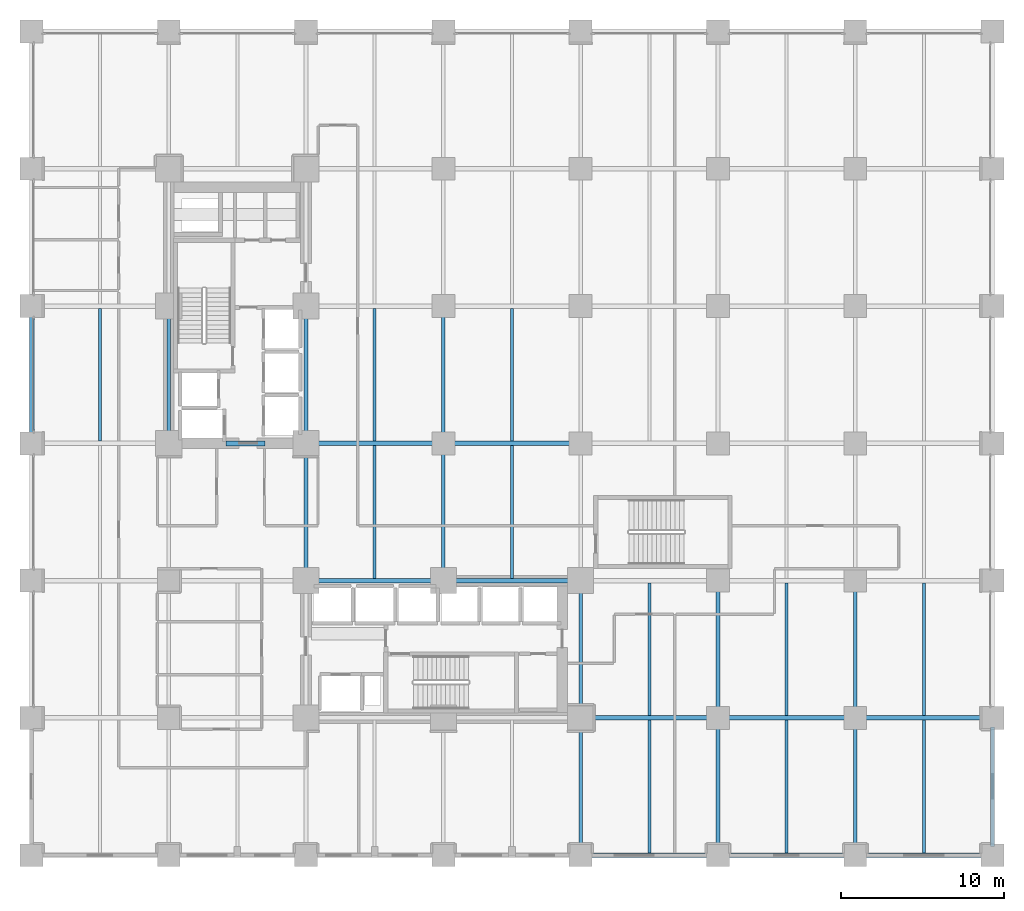
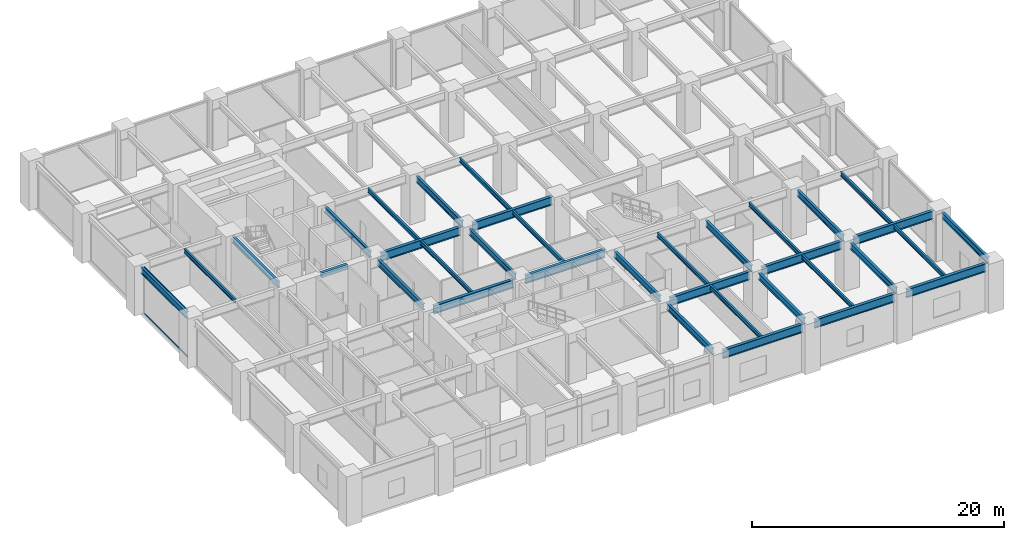
# One storey, part 5 of 23: 35 beams, 2 members, 1 element without a shape of its own.
"""IFC4 building model written with IfcOpenShell, lengths in metres."""

from ifc_helpers import new_model, si_unit, direction, frame, origin, origin_2d, place, context, subcontext, project, spatial, rectangle, hollow_rectangle, i_section, extrude, material, layer, layer_set, material_profile, profile_set, type_object, element, aggregate, save


model = new_model("IFC4")

# Units and contexts
model_context = context("Model", 3, precision=1e-05, world=origin(), true_north=direction((0.0, 1.0)))
body_context = subcontext(model_context, "Body", "Model", "MODEL_VIEW")
ifc_project = project(units=[si_unit("LENGTHUNIT", "METRE"), si_unit("AREAUNIT", "SQUARE_METRE"), si_unit("VOLUMEUNIT", "CUBIC_METRE"), si_unit("PLANEANGLEUNIT", "RADIAN"), si_unit("MASSUNIT", "GRAM", prefix="KILO")], contexts=[model_context])

# Site, building, storey
site_placement = place(None, origin())
site = spatial("IfcSite", under=ifc_project, at=site_placement, CompositionType="ELEMENT")
building_placement = place(site_placement, origin())
building = spatial("IfcBuilding", under=site, at=building_placement, Name="Nerrivon Quay Data Exchange", CompositionType="ELEMENT")
storey_placement = place(building_placement, frame((0.0, 0.0, 5.39990234375)))
storey = spatial("IfcBuildingStorey", under=building, at=storey_placement, Name="L01", CompositionType="ELEMENT", Elevation=5.39990234375)

# Beams
ifc_material_1 = material(Name="Steel Grade 350", Category="steel")
ifc_material_profile_1 = material_profile(ifc_material_1, i_section(OverallWidth=0.22900390625, OverallDepth=0.612060546875, WebThickness=0.011962890625, FlangeThickness=0.01953125, FilletRadius=0.013916015625, at=origin_2d()), Name="610UB125")
ifc_profile_set_1 = profile_set([ifc_material_profile_1], Name="Steel Grade 350")
beam_type_1 = type_object("IfcBeamType", Name="BM-G1-610UB125", PredefinedType="BEAM", material=ifc_profile_set_1)
for number, where, z_axis, x_axis, name in (
    (1, (0.0, 25.739990234375, 4.218994140625), (0.0, 1.0, 0.0), (-1.0, 0.0, 0.0), "L01 NS Girder X=0.0 (25.2..33.6)"),
    (2, (8.39990234375, 25.739990234375, 4.218994140625), (0.0, 1.0, 0.0), (-1.0, 0.0, 0.0), "L01 NS Girder X=8.4 (25.2..33.6)"),
):
    element("IfcBeam", number, at=place(storey_placement, frame(where, z_axis=z_axis, x_axis=x_axis)), inside=storey, type_object=beam_type_1, Name=name, PredefinedType="BEAM", context=body_context, shape_type="SweptSolid", body=[
        extrude(i_section(OverallWidth=0.22900390625, OverallDepth=0.612060546875, WebThickness=0.011962890625, FlangeThickness=0.01953125, FilletRadius=0.013916015625, at=origin_2d()), origin(), (0.0, 0.0, 1.0), 7.320068359375),
    ])
beam_1_placement = place(storey_placement, frame((16.800048828125, 17.340087890625, 4.218994140625), z_axis=(0.0, 1.0, 0.0), x_axis=(-1.0, 0.0, 0.0)))
element("IfcBeam", 3, at=beam_1_placement, inside=storey, type_object=beam_type_1, Name="L01 NS Girder X=16.8 (16.8..25.2)", PredefinedType="BEAM", context=body_context, shape_type="SweptSolid", body=[
    extrude(i_section(OverallWidth=0.22900390625, OverallDepth=0.612060546875, WebThickness=0.011962890625, FlangeThickness=0.01953125, FilletRadius=0.013916015625, at=origin_2d()), origin(), (0.0, 0.0, 1.0), 7.31982421875),
])
beam_2_placement = place(storey_placement, frame((16.800048828125, 25.739990234375, 4.218994140625), z_axis=(0.0, 1.0, 0.0), x_axis=(-1.0, 0.0, 0.0)))
element("IfcBeam", 4, at=beam_2_placement, inside=storey, type_object=beam_type_1, Name="L01 NS Girder X=16.8 (25.2..33.6)", PredefinedType="BEAM", context=body_context, shape_type="SweptSolid", body=[
    extrude(i_section(OverallWidth=0.22900390625, OverallDepth=0.612060546875, WebThickness=0.011962890625, FlangeThickness=0.01953125, FilletRadius=0.013916015625, at=origin_2d()), origin(), (0.0, 0.0, 1.0), 7.320068359375),
])
beam_3_placement = place(storey_placement, frame((25.199951171875, 17.340087890625, 4.218994140625), z_axis=(0.0, 1.0, 0.0), x_axis=(-1.0, 0.0, 0.0)))
element("IfcBeam", 5, at=beam_3_placement, inside=storey, type_object=beam_type_1, Name="L01 NS Girder X=25.2 (16.8..25.2)", PredefinedType="BEAM", context=body_context, shape_type="SweptSolid", body=[
    extrude(i_section(OverallWidth=0.22900390625, OverallDepth=0.612060546875, WebThickness=0.011962890625, FlangeThickness=0.01953125, FilletRadius=0.013916015625, at=origin_2d()), origin(), (0.0, 0.0, 1.0), 7.31982421875),
])
for number, where, z_axis, x_axis, name in (
    (6, (25.199951171875, 25.739990234375, 4.218994140625), (0.0, 1.0, 0.0), (-1.0, 0.0, 0.0), "L01 NS Girder X=25.2 (25.2..33.6)"),
    (7, (33.60009765625, 0.5400390625, 4.218994140625), (0.0, 1.0, 0.0), (-1.0, 0.0, 0.0), "L01 NS Girder X=33.6 (0.0..8.4)"),
    (8, (33.60009765625, 8.93994140625, 4.218994140625), (0.0, 1.0, 0.0), (-1.0, 0.0, 0.0), "L01 NS Girder X=33.6 (8.4..16.8)"),
    (9, (42.0, 0.5400390625, 4.218994140625), (0.0, 1.0, 0.0), (-1.0, 0.0, 0.0), "L01 NS Girder X=42.0 (0.0..8.4)"),
    (10, (42.0, 8.93994140625, 4.218994140625), (0.0, 1.0, 0.0), (-1.0, 0.0, 0.0), "L01 NS Girder X=42.0 (8.4..16.8)"),
    (11, (50.39990234375, 0.5400390625, 4.218994140625), (0.0, 1.0, 0.0), (-1.0, 0.0, 0.0), "L01 NS Girder X=50.4 (0.0..8.4)"),
    (12, (50.39990234375, 8.93994140625, 4.218994140625), (0.0, 1.0, 0.0), (-1.0, 0.0, 0.0), "L01 NS Girder X=50.4 (8.4..16.8)"),
    (13, (58.800048828125, 0.5400390625, 4.218994140625), (0.0, 1.0, 0.0), (-1.0, 0.0, 0.0), "L01 NS Girder X=58.8 (0.0..8.4)"),
):
    element("IfcBeam", number, at=place(storey_placement, frame(where, z_axis=z_axis, x_axis=x_axis)), inside=storey, type_object=beam_type_1, Name=name, PredefinedType="BEAM", context=body_context, shape_type="SweptSolid", body=[
        extrude(i_section(OverallWidth=0.22900390625, OverallDepth=0.612060546875, WebThickness=0.011962890625, FlangeThickness=0.01953125, FilletRadius=0.013916015625, at=origin_2d()), origin(), (0.0, 0.0, 1.0), 7.320068359375),
    ])
ifc_material_profile_2 = material_profile(ifc_material_1, i_section(OverallWidth=0.27490234375, OverallDepth=0.800048828125, WebThickness=0.010009765625, FlangeThickness=0.02001953125, at=origin_2d()), Name="800WB146")
ifc_profile_set_2 = profile_set([ifc_material_profile_2], Name="Steel Grade 350")
beam_type_2 = type_object("IfcBeamType", Name="BM-G8-800WB146", PredefinedType="BEAM", material=ifc_profile_set_2)
for number, where, z_axis, x_axis, name in (
    (14, (34.139892578125, 0.0, 4.125), (1.0, 0.0, 0.0), (0.0, 1.0, 0.0), "L01 EW Girder Y=0.0 (33.6..42.0)"),
    (15, (42.5400390625, 0.0, 4.125), (1.0, 0.0, 0.0), (0.0, 1.0, 0.0), "L01 EW Girder Y=0.0 (42.0..50.4)"),
    (16, (50.93994140625, 0.0, 4.125), (1.0, 0.0, 0.0), (0.0, 1.0, 0.0), "L01 EW Girder Y=0.0 (50.4..58.8)"),
    (17, (34.139892578125, 8.39990234375, 4.125), (1.0, 0.0, 0.0), (0.0, 1.0, 0.0), "L01 EW Girder Y=8.4 (33.6..42.0)"),
    (18, (42.5400390625, 8.39990234375, 4.125), (1.0, 0.0, 0.0), (0.0, 1.0, 0.0), "L01 EW Girder Y=8.4 (42.0..50.4)"),
    (19, (50.93994140625, 8.39990234375, 4.125), (1.0, 0.0, 0.0), (0.0, 1.0, 0.0), "L01 EW Girder Y=8.4 (50.4..58.8)"),
):
    element("IfcBeam", number, at=place(storey_placement, frame(where, z_axis=z_axis, x_axis=x_axis)), inside=storey, type_object=beam_type_2, Name=name, PredefinedType="BEAM", context=body_context, shape_type="SweptSolid", body=[
        extrude(i_section(OverallWidth=0.27490234375, OverallDepth=0.800048828125, WebThickness=0.010009765625, FlangeThickness=0.02001953125, at=origin_2d()), origin(), (0.0, 0.0, 1.0), 7.320068359375),
    ])
beam_4_placement = place(storey_placement, frame((17.340087890625, 16.800048828125, 4.125), z_axis=(1.0, 0.0, 0.0), x_axis=(0.0, 1.0, 0.0)))
element("IfcBeam", 20, at=beam_4_placement, inside=storey, type_object=beam_type_2, Name="L01 EW Girder Y=16.8 (16.8..25.2)", PredefinedType="BEAM", context=body_context, shape_type="SweptSolid", body=[
    extrude(i_section(OverallWidth=0.27490234375, OverallDepth=0.800048828125, WebThickness=0.010009765625, FlangeThickness=0.02001953125, at=origin_2d()), origin(), (0.0, 0.0, 1.0), 7.31982421875),
])
beam_5_placement = place(storey_placement, frame((25.739990234375, 16.800048828125, 4.125), z_axis=(1.0, 0.0, 0.0), x_axis=(0.0, 1.0, 0.0)))
element("IfcBeam", 21, at=beam_5_placement, inside=storey, type_object=beam_type_2, Name="L01 EW Girder Y=16.8 (25.2..33.6)", PredefinedType="BEAM", context=body_context, shape_type="SweptSolid", body=[
    extrude(i_section(OverallWidth=0.27490234375, OverallDepth=0.800048828125, WebThickness=0.010009765625, FlangeThickness=0.02001953125, at=origin_2d()), origin(), (0.0, 0.0, 1.0), 7.320068359375),
])
beam_6_placement = place(storey_placement, frame((17.340087890625, 25.199951171875, 4.125), z_axis=(1.0, 0.0, 0.0), x_axis=(0.0, 1.0, 0.0)))
element("IfcBeam", 22, at=beam_6_placement, inside=storey, type_object=beam_type_2, Name="L01 EW Girder Y=25.2 (16.8..25.2)", PredefinedType="BEAM", context=body_context, shape_type="SweptSolid", body=[
    extrude(i_section(OverallWidth=0.27490234375, OverallDepth=0.800048828125, WebThickness=0.010009765625, FlangeThickness=0.02001953125, at=origin_2d()), origin(), (0.0, 0.0, 1.0), 7.31982421875),
])
beam_7_placement = place(storey_placement, frame((25.739990234375, 25.199951171875, 4.125), z_axis=(1.0, 0.0, 0.0), x_axis=(0.0, 1.0, 0.0)))
element("IfcBeam", 23, at=beam_7_placement, inside=storey, type_object=beam_type_2, Name="L01 EW Girder Y=25.2 (25.2..33.6)", PredefinedType="BEAM", context=body_context, shape_type="SweptSolid", body=[
    extrude(i_section(OverallWidth=0.27490234375, OverallDepth=0.800048828125, WebThickness=0.010009765625, FlangeThickness=0.02001953125, at=origin_2d()), origin(), (0.0, 0.0, 1.0), 7.320068359375),
])
ifc_material_profile_3 = material_profile(ifc_material_1, i_section(OverallWidth=0.177978515625, OverallDepth=0.403076171875, WebThickness=0.007568359375, FlangeThickness=0.010986328125, FilletRadius=0.011474609375, at=origin_2d()), Name="410UB53.7")
ifc_profile_set_3 = profile_set([ifc_material_profile_3], Name="Steel Grade 350")
beam_type_3 = type_object("IfcBeamType", Name="BM-J2-410UB54", PredefinedType="JOIST", material=ifc_profile_set_3)
for number, where, z_axis, x_axis, name in (
    (24, (4.199951171875, 25.33740234375, 4.323486328125), (0.0, 1.0, 0.0), (-1.0, 0.0, 0.0), "L01 Secondary Joist X=4.2 (25.2..33.6)"),
    (25, (21.0, 16.9375, 4.323486328125), (0.0, 1.0, 0.0), (-1.0, 0.0, 0.0), "L01 Secondary Joist X=21.0 (16.8..25.2)"),
    (26, (21.0, 25.33740234375, 4.323486328125), (0.0, 1.0, 0.0), (-1.0, 0.0, 0.0), "L01 Secondary Joist X=21.0 (25.2..33.6)"),
    (27, (29.39990234375, 16.9375, 4.323486328125), (0.0, 1.0, 0.0), (-1.0, 0.0, 0.0), "L01 Secondary Joist X=29.4 (16.8..25.2)"),
    (28, (29.39990234375, 25.33740234375, 4.323486328125), (0.0, 1.0, 0.0), (-1.0, 0.0, 0.0), "L01 Secondary Joist X=29.4 (25.2..33.6)"),
    (29, (37.800048828125, 0.137451171875, 4.323486328125), (0.0, 1.0, 0.0), (-1.0, 0.0, 0.0), "L01 Secondary Joist X=37.8 (0.0..8.4)"),
    (30, (37.800048828125, 8.53759765625, 4.323486328125), (0.0, 1.0, 0.0), (-1.0, 0.0, 0.0), "L01 Secondary Joist X=37.8 (8.4..16.8)"),
    (31, (46.199951171875, 0.137451171875, 4.323486328125), (0.0, 1.0, 0.0), (-1.0, 0.0, 0.0), "L01 Secondary Joist X=46.2 (0.0..8.4)"),
    (32, (46.199951171875, 8.53759765625, 4.323486328125), (0.0, 1.0, 0.0), (-1.0, 0.0, 0.0), "L01 Secondary Joist X=46.2 (8.4..16.8)"),
    (33, (54.60009765625, 0.137451171875, 4.323486328125), (0.0, 1.0, 0.0), (-1.0, 0.0, 0.0), "L01 Secondary Joist X=54.6 (0.0..8.4)"),
    (34, (54.60009765625, 8.53759765625, 4.323486328125), (0.0, 1.0, 0.0), (-1.0, 0.0, 0.0), "L01 Secondary Joist X=54.6 (8.4..16.8)"),
):
    element("IfcBeam", number, at=place(storey_placement, frame(where, z_axis=z_axis, x_axis=x_axis)), inside=storey, type_object=beam_type_3, Name=name, PredefinedType="JOIST", context=body_context, shape_type="SweptSolid", body=[
        extrude(i_section(OverallWidth=0.177978515625, OverallDepth=0.403076171875, WebThickness=0.007568359375, FlangeThickness=0.010986328125, FilletRadius=0.011474609375, at=origin_2d()), origin(), (0.0, 0.0, 1.0), 8.125),
    ])
ifc_material_2 = material(Name="Concrete N50 (50 MPa)", Category="concrete")
ifc_material_profile_4 = material_profile(ifc_material_2, rectangle(XDim=0.300048828125, YDim=0.449951171875, at=origin_2d()), Name="RC-LNT-300x450")
ifc_profile_set_4 = profile_set([ifc_material_profile_4], Name="Concrete N50 (50 MPa)")
beam_type_4 = type_object("IfcBeamType", Name="BM-LNT-300x450", PredefinedType="LINTEL", material=ifc_profile_set_4)
beam_8_placement = place(storey_placement, frame((11.89990234375, 25.199951171875, 4.300048828125), z_axis=(1.0, 0.0, 0.0), x_axis=(0.0, 1.0, 0.0)))
element("IfcBeam", 35, at=beam_8_placement, inside=storey, type_object=beam_type_4, Name="L01 Core Threshold RC Lintel", PredefinedType="LINTEL", context=body_context, shape_type="SweptSolid", body=[
    extrude(rectangle(XDim=0.300048828125, YDim=0.449951171875, at=origin_2d()), origin(), (0.0, 0.0, 1.0), 2.400146484375),
])

# Curtain wall, members
ifc_material_3 = material(Name="Anodised aluminium 6063-T6", Category="aluminium")
ifc_layer = layer(ifc_material_3, 0.239990234375)
ifc_layer_set = layer_set([ifc_layer], Name="Anodised aluminium 6063-T6")
curtain_wall_type = type_object("IfcCurtainWallType", Name="CW-SYS-03", PredefinedType="NOTDEFINED", material=ifc_layer_set)
curtain_wall_placement = place(storey_placement, origin())
curtain_wall = element("IfcCurtainWall", 36, at=curtain_wall_placement, inside=storey, type_object=curtain_wall_type, Name="L01 Unitised Curtain Wall 4", PredefinedType="NOTDEFINED")
ifc_material_profile_5 = material_profile(ifc_material_3, hollow_rectangle(XDim=0.06494140625, YDim=0.14990234375, WallThickness=0.00341796875, at=origin_2d()), Name="ALU-TRAN-150x65")
ifc_profile_set_5 = profile_set([ifc_material_profile_5], Name="Anodised aluminium 6063-T6")
member_type = type_object("IfcMemberType", Name="CWT-150x65", PredefinedType="USERDEFINED", material=ifc_profile_set_5)
member_1_placement = place(storey_placement, frame((0.139892578125, 25.97509765625, 0.03271484375), z_axis=(0.0, 1.0, 0.0), x_axis=(-1.0, 0.0, 0.0)))
member_1 = element("IfcMember", 37, at=member_1_placement, type_object=member_type, Name="CW03 transom 1.1", ObjectType="TRANSOM", PredefinedType="USERDEFINED", context=body_context, shape_type="SweptSolid", body=[
    extrude(hollow_rectangle(XDim=0.06494140625, YDim=0.14990234375, WallThickness=0.00341796875, at=origin_2d()), origin(), (0.0, 0.0, 1.0), 6.849853515625),
])
member_2_placement = place(storey_placement, frame((0.139892578125, 25.97509765625, 4.49267578125), z_axis=(0.0, 1.0, 0.0), x_axis=(-1.0, 0.0, 0.0)))
member_2 = element("IfcMember", 38, at=member_2_placement, type_object=member_type, Name="CW03 transom 1.2", ObjectType="TRANSOM", PredefinedType="USERDEFINED", context=body_context, shape_type="SweptSolid", body=[
    extrude(hollow_rectangle(XDim=0.06494140625, YDim=0.14990234375, WallThickness=0.00341796875, at=origin_2d()), origin(), (0.0, 0.0, 1.0), 6.849853515625),
])
aggregate(curtain_wall, [member_1, member_2])

save(model, "model.ifc")
